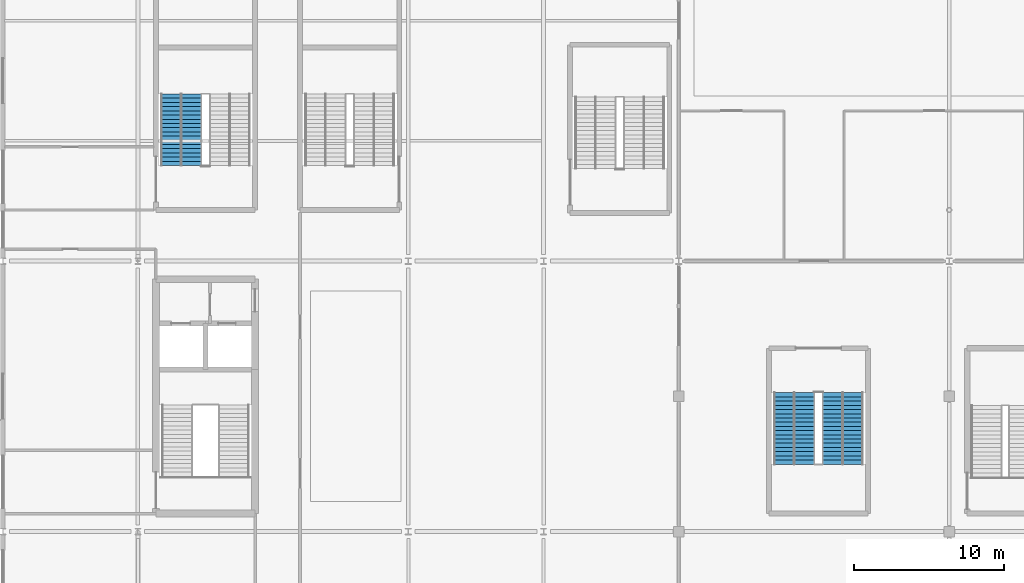
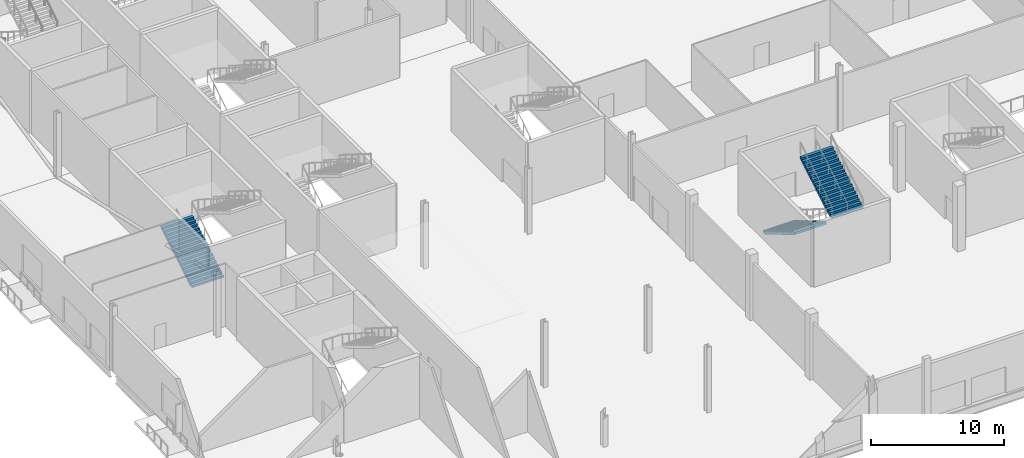
# One storey, part 53 of 84: 3 stair flights, 2 elements without a shape of their own.
"""IFC4 building model written with IfcOpenShell, lengths in metres."""

from ifc_helpers import new_model, si_unit, direction, frame, origin, place, context, subcontext, project, spatial, polygons, material, type_object, element, aggregate, save


model = new_model("IFC4")

# Units and contexts
model_context = context("Model", 3, precision=1e-05, world=origin(), true_north=direction((0.0, 1.0)))
body_context = subcontext(model_context, "Body", "Model", "MODEL_VIEW")
ifc_project = project(units=[si_unit("LENGTHUNIT", "METRE"), si_unit("AREAUNIT", "SQUARE_METRE"), si_unit("VOLUMEUNIT", "CUBIC_METRE"), si_unit("PLANEANGLEUNIT", "RADIAN"), si_unit("MASSUNIT", "GRAM", prefix="KILO")], contexts=[model_context])

# Site, building, storey
site_placement = place(None, origin())
site = spatial("IfcSite", under=ifc_project, at=site_placement, CompositionType="ELEMENT")
building_placement = place(site_placement, origin())
building = spatial("IfcBuilding", under=site, at=building_placement, Name="Kisiwana Market Hall", CompositionType="ELEMENT")
storey_placement = place(building_placement, origin())
storey = spatial("IfcBuildingStorey", under=building, at=storey_placement, Name="L00", CompositionType="ELEMENT", Elevation=0.0)

# Stair, stair flight
ifc_material_1 = material(Name="Concrete C32/40", Category="concrete")
stair_type = type_object("IfcStairType", Name="ST-ESC-6000", PredefinedType="TWO_STRAIGHT_RUN_STAIR", material=ifc_material_1)
stair_1_placement = place(storey_placement, origin())
stair_1 = element("IfcStair", 1, at=stair_1_placement, inside=storey, type_object=stair_type, Name="Escape stair ST-W3-L00", PredefinedType="TWO_STRAIGHT_RUN_STAIR")
ifc_material_2 = material(Name="Concrete C32/40", Category="concrete")
stair_flight_type = type_object("IfcStairFlightType", Name="SF-ESC-6000", PredefinedType="STRAIGHT", material=ifc_material_2)
stair_flight_1_placement = place(storey_placement, frame((11.889892578125, 42.360107421875, 0.0), z_axis=(0.0, 0.0, 1.0), x_axis=(0.0, 1.0, 0.0)))
stair_flight_1 = element("IfcStairFlight", 2, at=stair_flight_1_placement, type_object=stair_flight_type, Name="ST-W3-L00 flight 1", NumberOfRisers=18, NumberOfTreads=17, PredefinedType="STRAIGHT", RiserHeight=0.166667, TreadLength=0.28, context=body_context, shape_type="Tessellation", body=[
    polygons([(0.0, -1.380127, 0.0), (0.0, -0.690125, 0.0), (0.0, -0.000122, 0.0), (0.0, 0.68988, 0.0), (0.0, 1.379883, 0.0), (0.0, -1.380127, 0.166748), (0.0, -0.690125, 0.166748), (0.0, -0.000122, 0.166748), (0.0, 0.68988, 0.166748), (0.0, 1.379883, 0.166748), (0.280029, -1.380127, 0.166748), (0.280029, -0.690125, 0.166748), (0.280029, -0.000122, 0.166748), (0.280029, 0.68988, 0.166748), (0.280029, 1.379883, 0.166748), (0.280029, -1.380127, 0.333252), (0.280029, -0.690125, 0.333252), (0.280029, -0.000122, 0.333252), (0.280029, 0.68988, 0.333252), (0.280029, 1.379883, 0.333252), (0.560059, -1.380127, 0.333252), (0.560059, -0.690125, 0.333252), (0.560059, -0.000122, 0.333252), (0.560059, 0.68988, 0.333252), (0.560059, 1.379883, 0.333252), (0.560059, -1.380127, 0.5), (0.560059, -0.690125, 0.5), (0.560059, -0.000122, 0.5), (0.560059, 0.68988, 0.5), (0.560059, 1.379883, 0.5), (0.840088, -1.380127, 0.5), (0.840088, -0.690125, 0.5), (0.840088, -0.000122, 0.5), (0.840088, 0.68988, 0.5), (0.840088, 1.379883, 0.5), (0.840088, -1.380127, 0.666748), (0.840088, -0.690125, 0.666748), (0.840088, -0.000122, 0.666748), (0.840088, 0.68988, 0.666748), (0.840088, 1.379883, 0.666748), (1.120117, -1.380127, 0.666748), (1.120117, -0.690125, 0.666748), (1.120117, -0.000122, 0.666748), (1.120117, 0.68988, 0.666748), (1.120117, 1.379883, 0.666748), (1.120117, -1.380127, 0.833252), (1.120117, -0.690125, 0.833252), (1.120117, -0.000122, 0.833252), (1.120117, 0.68988, 0.833252), (1.120117, 1.379883, 0.833252), (1.399902, -1.380127, 0.833252), (1.399902, -0.690125, 0.833252), (1.399902, -0.000122, 0.833252), (1.399902, 0.68988, 0.833252), (1.399902, 1.379883, 0.833252), (1.399902, -1.380127, 1.0), (1.399902, -0.690125, 1.0), (1.399902, -0.000122, 1.0), (1.399902, 0.68988, 1.0), (1.399902, 1.379883, 1.0), (1.679932, -1.380127, 1.0), (1.679932, -0.690125, 1.0), (1.679932, -0.000122, 1.0), (1.679932, 0.68988, 1.0), (1.679932, 1.379883, 1.0), (1.679932, -1.380127, 1.166748), (1.679932, -0.690125, 1.166748), (1.679932, -0.000122, 1.166748), (1.679932, 0.68988, 1.166748), (1.679932, 1.379883, 1.166748), (1.959961, -1.380127, 1.166748), (1.959961, -0.690125, 1.166748), (1.959961, -0.000122, 1.166748), (1.959961, 0.68988, 1.166748), (1.959961, 1.379883, 1.166748), (1.959961, -1.380127, 1.333252), (1.959961, -0.690125, 1.333252), (1.959961, -0.000122, 1.333252), (1.959961, 0.68988, 1.333252), (1.959961, 1.379883, 1.333252), (2.23999, -1.380127, 1.333252), (2.23999, -0.690125, 1.333252), (2.23999, -0.000122, 1.333252), (2.23999, 0.68988, 1.333252), (2.23999, 1.379883, 1.333252), (2.23999, -1.380127, 1.5), (2.23999, -0.690125, 1.5), (2.23999, -0.000122, 1.5), (2.23999, 0.68988, 1.5), (2.23999, 1.379883, 1.5), (2.52002, -1.380127, 1.5), (2.52002, -0.690125, 1.5), (2.52002, -0.000122, 1.5), (2.52002, 0.68988, 1.5), (2.52002, 1.379883, 1.5), (2.52002, -1.380127, 1.666748), (2.52002, -0.690125, 1.666748), (2.52002, -0.000122, 1.666748), (2.52002, 0.68988, 1.666748), (2.52002, 1.379883, 1.666748), (2.800049, -1.380127, 1.666748), (2.800049, -0.690125, 1.666748), (2.800049, -0.000122, 1.666748), (2.800049, 0.68988, 1.666748), (2.800049, 1.379883, 1.666748), (2.800049, -1.380127, 1.833252), (2.800049, -0.690125, 1.833252), (2.800049, -0.000122, 1.833252), (2.800049, 0.68988, 1.833252), (2.800049, 1.379883, 1.833252), (3.080078, -1.380127, 1.833252), (3.080078, -0.690125, 1.833252), (3.080078, -0.000122, 1.833252), (3.080078, 0.68988, 1.833252), (3.080078, 1.379883, 1.833252), (3.080078, -1.380127, 2.0), (3.080078, -0.690125, 2.0), (3.080078, -0.000122, 2.0), (3.080078, 0.68988, 2.0), (3.080078, 1.379883, 2.0), (3.360107, -1.380127, 2.0), (3.360107, -0.690125, 2.0), (3.360107, -0.000122, 2.0), (3.360107, 0.68988, 2.0), (3.360107, 1.379883, 2.0), (3.360107, -1.380127, 2.166748), (3.360107, -0.690125, 2.166748), (3.360107, -0.000122, 2.166748), (3.360107, 0.68988, 2.166748), (3.360107, 1.379883, 2.166748), (3.639893, -1.380127, 2.166748), (3.639893, -0.690125, 2.166748), (3.639893, -0.000122, 2.166748), (3.639893, 0.68988, 2.166748), (3.639893, 1.379883, 2.166748), (3.639893, -1.380127, 2.333252), (3.639893, -0.690125, 2.333252), (3.639893, -0.000122, 2.333252), (3.639893, 0.68988, 2.333252), (3.639893, 1.379883, 2.333252), (3.919922, -1.380127, 2.333252), (3.919922, -0.690125, 2.333252), (3.919922, -0.000122, 2.333252), (3.919922, 0.68988, 2.333252), (3.919922, 1.379883, 2.333252), (3.919922, -1.380127, 2.5), (3.919922, -0.690125, 2.5), (3.919922, -0.000122, 2.5), (3.919922, 0.68988, 2.5), (3.919922, 1.379883, 2.5), (4.199951, -1.380127, 2.5), (4.199951, -0.690125, 2.5), (4.199951, -0.000122, 2.5), (4.199951, 0.68988, 2.5), (4.199951, 1.379883, 2.5), (4.199951, -1.380127, 2.666748), (4.199951, -0.690125, 2.666748), (4.199951, -0.000122, 2.666748), (4.199951, 0.68988, 2.666748), (4.199951, 1.379883, 2.666748), (4.47998, -1.380127, 2.666748), (4.47998, -0.690125, 2.666748), (4.47998, -0.000122, 2.666748), (4.47998, 0.68988, 2.666748), (4.47998, 1.379883, 2.666748), (4.47998, -1.380127, 2.833252), (4.47998, -0.690125, 2.833252), (4.47998, -0.000122, 2.833252), (4.47998, 0.68988, 2.833252), (4.47998, 1.379883, 2.833252), (4.76001, -1.380127, 2.833252), (4.76001, -0.690125, 2.833252), (4.76001, -0.000122, 2.833252), (4.76001, 0.68988, 2.833252), (4.76001, 1.379883, 2.833252), (4.76001, -1.380127, 2.624023), (4.76001, -0.690125, 2.624023), (4.76001, -0.000122, 2.624023), (4.76001, 0.68988, 2.624023), (4.76001, 1.379883, 2.624023), (0.351807, -1.380127, 0.0), (0.351807, -0.690125, 0.0), (0.351807, -0.000122, 0.0), (0.351807, 0.68988, 0.0), (0.351807, 1.379883, 0.0)], [[[1, 6, 7, 2]], [[2, 7, 8, 3]], [[3, 8, 9, 4]], [[4, 9, 10, 5]], [[6, 11, 12, 7]], [[7, 12, 13, 8]], [[8, 13, 14, 9]], [[9, 14, 15, 10]], [[11, 16, 17, 12]], [[12, 17, 18, 13]], [[13, 18, 19, 14]], [[14, 19, 20, 15]], [[16, 21, 22, 17]], [[17, 22, 23, 18]], [[18, 23, 24, 19]], [[19, 24, 25, 20]], [[21, 26, 27, 22]], [[22, 27, 28, 23]], [[23, 28, 29, 24]], [[24, 29, 30, 25]], [[26, 31, 32, 27]], [[27, 32, 33, 28]], [[28, 33, 34, 29]], [[29, 34, 35, 30]], [[31, 36, 37, 32]], [[32, 37, 38, 33]], [[33, 38, 39, 34]], [[34, 39, 40, 35]], [[36, 41, 42, 37]], [[37, 42, 43, 38]], [[38, 43, 44, 39]], [[39, 44, 45, 40]], [[41, 46, 47, 42]], [[42, 47, 48, 43]], [[43, 48, 49, 44]], [[44, 49, 50, 45]], [[46, 51, 52, 47]], [[47, 52, 53, 48]], [[48, 53, 54, 49]], [[49, 54, 55, 50]], [[51, 56, 57, 52]], [[52, 57, 58, 53]], [[53, 58, 59, 54]], [[54, 59, 60, 55]], [[56, 61, 62, 57]], [[57, 62, 63, 58]], [[58, 63, 64, 59]], [[59, 64, 65, 60]], [[61, 66, 67, 62]], [[62, 67, 68, 63]], [[63, 68, 69, 64]], [[64, 69, 70, 65]], [[66, 71, 72, 67]], [[67, 72, 73, 68]], [[68, 73, 74, 69]], [[69, 74, 75, 70]], [[71, 76, 77, 72]], [[72, 77, 78, 73]], [[73, 78, 79, 74]], [[74, 79, 80, 75]], [[76, 81, 82, 77]], [[77, 82, 83, 78]], [[78, 83, 84, 79]], [[79, 84, 85, 80]], [[81, 86, 87, 82]], [[82, 87, 88, 83]], [[83, 88, 89, 84]], [[84, 89, 90, 85]], [[86, 91, 92, 87]], [[87, 92, 93, 88]], [[88, 93, 94, 89]], [[89, 94, 95, 90]], [[91, 96, 97, 92]], [[92, 97, 98, 93]], [[93, 98, 99, 94]], [[94, 99, 100, 95]], [[96, 101, 102, 97]], [[97, 102, 103, 98]], [[98, 103, 104, 99]], [[99, 104, 105, 100]], [[101, 106, 107, 102]], [[102, 107, 108, 103]], [[103, 108, 109, 104]], [[104, 109, 110, 105]], [[106, 111, 112, 107]], [[107, 112, 113, 108]], [[108, 113, 114, 109]], [[109, 114, 115, 110]], [[111, 116, 117, 112]], [[112, 117, 118, 113]], [[113, 118, 119, 114]], [[114, 119, 120, 115]], [[116, 121, 122, 117]], [[117, 122, 123, 118]], [[118, 123, 124, 119]], [[119, 124, 125, 120]], [[121, 126, 127, 122]], [[122, 127, 128, 123]], [[123, 128, 129, 124]], [[124, 129, 130, 125]], [[126, 131, 132, 127]], [[127, 132, 133, 128]], [[128, 133, 134, 129]], [[129, 134, 135, 130]], [[131, 136, 137, 132]], [[132, 137, 138, 133]], [[133, 138, 139, 134]], [[134, 139, 140, 135]], [[136, 141, 142, 137]], [[137, 142, 143, 138]], [[138, 143, 144, 139]], [[139, 144, 145, 140]], [[141, 146, 147, 142]], [[142, 147, 148, 143]], [[143, 148, 149, 144]], [[144, 149, 150, 145]], [[146, 151, 152, 147]], [[147, 152, 153, 148]], [[148, 153, 154, 149]], [[149, 154, 155, 150]], [[151, 156, 157, 152]], [[152, 157, 158, 153]], [[153, 158, 159, 154]], [[154, 159, 160, 155]], [[156, 161, 162, 157]], [[157, 162, 163, 158]], [[158, 163, 164, 159]], [[159, 164, 165, 160]], [[161, 166, 167, 162]], [[162, 167, 168, 163]], [[163, 168, 169, 164]], [[164, 169, 170, 165]], [[166, 171, 172, 167]], [[167, 172, 173, 168]], [[168, 173, 174, 169]], [[169, 174, 175, 170]], [[171, 176, 177, 172]], [[172, 177, 178, 173]], [[173, 178, 179, 174]], [[174, 179, 180, 175]], [[176, 181, 182, 177]], [[177, 182, 183, 178]], [[178, 183, 184, 179]], [[179, 184, 185, 180]], [[181, 1, 2, 182]], [[182, 2, 3, 183]], [[183, 3, 4, 184]], [[184, 4, 5, 185]], [[181, 176, 171, 166, 161, 156, 151, 146, 141, 136, 131, 126, 121, 116, 111, 106, 101, 96, 91, 86, 81, 76, 71, 66, 61, 56, 51, 46, 41, 36, 31, 26, 21, 16, 11, 6, 1]], [[5, 10, 15, 20, 25, 30, 35, 40, 45, 50, 55, 60, 65, 70, 75, 80, 85, 90, 95, 100, 105, 110, 115, 120, 125, 130, 135, 140, 145, 150, 155, 160, 165, 170, 175, 180, 185]]], closed=True),
])
aggregate(stair_1, [stair_flight_1])

# Stair, stair flights
stair_2_placement = place(storey_placement, origin())
stair_2 = element("IfcStair", 3, at=stair_2_placement, inside=storey, type_object=stair_type, Name="Escape stair ST-S3-L00", PredefinedType="TWO_STRAIGHT_RUN_STAIR")
stair_flight_2_placement = place(storey_placement, frame((52.68994140625, 27.239990234375, 0.0), z_axis=(0.0, 0.0, 1.0), x_axis=(0.0, -1.0, 0.0)))
stair_flight_2 = element("IfcStairFlight", 4, at=stair_flight_2_placement, type_object=stair_flight_type, Name="ST-S3-L00 flight 1", NumberOfRisers=18, NumberOfTreads=17, PredefinedType="STRAIGHT", RiserHeight=0.166667, TreadLength=0.28, context=body_context, shape_type="Tessellation", body=[
    polygons([(0.0, -1.380127, 0.0), (0.0, -0.690125, 0.0), (0.0, -0.000122, 0.0), (0.0, 0.68988, 0.0), (0.0, 1.379883, 0.0), (0.0, -1.380127, 0.166748), (0.0, -0.690125, 0.166748), (0.0, -0.000122, 0.166748), (0.0, 0.68988, 0.166748), (0.0, 1.379883, 0.166748), (0.280029, -1.380127, 0.166748), (0.280029, -0.690125, 0.166748), (0.280029, -0.000122, 0.166748), (0.280029, 0.68988, 0.166748), (0.280029, 1.379883, 0.166748), (0.280029, -1.380127, 0.333252), (0.280029, -0.690125, 0.333252), (0.280029, -0.000122, 0.333252), (0.280029, 0.68988, 0.333252), (0.280029, 1.379883, 0.333252), (0.560059, -1.380127, 0.333252), (0.560059, -0.690125, 0.333252), (0.560059, -0.000122, 0.333252), (0.560059, 0.68988, 0.333252), (0.560059, 1.379883, 0.333252), (0.560059, -1.380127, 0.5), (0.560059, -0.690125, 0.5), (0.560059, -0.000122, 0.5), (0.560059, 0.68988, 0.5), (0.560059, 1.379883, 0.5), (0.840088, -1.380127, 0.5), (0.840088, -0.690125, 0.5), (0.840088, -0.000122, 0.5), (0.840088, 0.68988, 0.5), (0.840088, 1.379883, 0.5), (0.840088, -1.380127, 0.666748), (0.840088, -0.690125, 0.666748), (0.840088, -0.000122, 0.666748), (0.840088, 0.68988, 0.666748), (0.840088, 1.379883, 0.666748), (1.120117, -1.380127, 0.666748), (1.120117, -0.690125, 0.666748), (1.120117, -0.000122, 0.666748), (1.120117, 0.68988, 0.666748), (1.120117, 1.379883, 0.666748), (1.120117, -1.380127, 0.833252), (1.120117, -0.690125, 0.833252), (1.120117, -0.000122, 0.833252), (1.120117, 0.68988, 0.833252), (1.120117, 1.379883, 0.833252), (1.399902, -1.380127, 0.833252), (1.399902, -0.690125, 0.833252), (1.399902, -0.000122, 0.833252), (1.399902, 0.68988, 0.833252), (1.399902, 1.379883, 0.833252), (1.399902, -1.380127, 1.0), (1.399902, -0.690125, 1.0), (1.399902, -0.000122, 1.0), (1.399902, 0.68988, 1.0), (1.399902, 1.379883, 1.0), (1.679932, -1.380127, 1.0), (1.679932, -0.690125, 1.0), (1.679932, -0.000122, 1.0), (1.679932, 0.68988, 1.0), (1.679932, 1.379883, 1.0), (1.679932, -1.380127, 1.166748), (1.679932, -0.690125, 1.166748), (1.679932, -0.000122, 1.166748), (1.679932, 0.68988, 1.166748), (1.679932, 1.379883, 1.166748), (1.959961, -1.380127, 1.166748), (1.959961, -0.690125, 1.166748), (1.959961, -0.000122, 1.166748), (1.959961, 0.68988, 1.166748), (1.959961, 1.379883, 1.166748), (1.959961, -1.380127, 1.333252), (1.959961, -0.690125, 1.333252), (1.959961, -0.000122, 1.333252), (1.959961, 0.68988, 1.333252), (1.959961, 1.379883, 1.333252), (2.23999, -1.380127, 1.333252), (2.23999, -0.690125, 1.333252), (2.23999, -0.000122, 1.333252), (2.23999, 0.68988, 1.333252), (2.23999, 1.379883, 1.333252), (2.23999, -1.380127, 1.5), (2.23999, -0.690125, 1.5), (2.23999, -0.000122, 1.5), (2.23999, 0.68988, 1.5), (2.23999, 1.379883, 1.5), (2.52002, -1.380127, 1.5), (2.52002, -0.690125, 1.5), (2.52002, -0.000122, 1.5), (2.52002, 0.68988, 1.5), (2.52002, 1.379883, 1.5), (2.52002, -1.380127, 1.666748), (2.52002, -0.690125, 1.666748), (2.52002, -0.000122, 1.666748), (2.52002, 0.68988, 1.666748), (2.52002, 1.379883, 1.666748), (2.800049, -1.380127, 1.666748), (2.800049, -0.690125, 1.666748), (2.800049, -0.000122, 1.666748), (2.800049, 0.68988, 1.666748), (2.800049, 1.379883, 1.666748), (2.800049, -1.380127, 1.833252), (2.800049, -0.690125, 1.833252), (2.800049, -0.000122, 1.833252), (2.800049, 0.68988, 1.833252), (2.800049, 1.379883, 1.833252), (3.080078, -1.380127, 1.833252), (3.080078, -0.690125, 1.833252), (3.080078, -0.000122, 1.833252), (3.080078, 0.68988, 1.833252), (3.080078, 1.379883, 1.833252), (3.080078, -1.380127, 2.0), (3.080078, -0.690125, 2.0), (3.080078, -0.000122, 2.0), (3.080078, 0.68988, 2.0), (3.080078, 1.379883, 2.0), (3.360107, -1.380127, 2.0), (3.360107, -0.690125, 2.0), (3.360107, -0.000122, 2.0), (3.360107, 0.68988, 2.0), (3.360107, 1.379883, 2.0), (3.360107, -1.380127, 2.166748), (3.360107, -0.690125, 2.166748), (3.360107, -0.000122, 2.166748), (3.360107, 0.68988, 2.166748), (3.360107, 1.379883, 2.166748), (3.639893, -1.380127, 2.166748), (3.639893, -0.690125, 2.166748), (3.639893, -0.000122, 2.166748), (3.639893, 0.68988, 2.166748), (3.639893, 1.379883, 2.166748), (3.639893, -1.380127, 2.333252), (3.639893, -0.690125, 2.333252), (3.639893, -0.000122, 2.333252), (3.639893, 0.68988, 2.333252), (3.639893, 1.379883, 2.333252), (3.919922, -1.380127, 2.333252), (3.919922, -0.690125, 2.333252), (3.919922, -0.000122, 2.333252), (3.919922, 0.68988, 2.333252), (3.919922, 1.379883, 2.333252), (3.919922, -1.380127, 2.5), (3.919922, -0.690125, 2.5), (3.919922, -0.000122, 2.5), (3.919922, 0.68988, 2.5), (3.919922, 1.379883, 2.5), (4.199951, -1.380127, 2.5), (4.199951, -0.690125, 2.5), (4.199951, -0.000122, 2.5), (4.199951, 0.68988, 2.5), (4.199951, 1.379883, 2.5), (4.199951, -1.380127, 2.666748), (4.199951, -0.690125, 2.666748), (4.199951, -0.000122, 2.666748), (4.199951, 0.68988, 2.666748), (4.199951, 1.379883, 2.666748), (4.47998, -1.380127, 2.666748), (4.47998, -0.690125, 2.666748), (4.47998, -0.000122, 2.666748), (4.47998, 0.68988, 2.666748), (4.47998, 1.379883, 2.666748), (4.47998, -1.380127, 2.833252), (4.47998, -0.690125, 2.833252), (4.47998, -0.000122, 2.833252), (4.47998, 0.68988, 2.833252), (4.47998, 1.379883, 2.833252), (4.76001, -1.380127, 2.833252), (4.76001, -0.690125, 2.833252), (4.76001, -0.000122, 2.833252), (4.76001, 0.68988, 2.833252), (4.76001, 1.379883, 2.833252), (4.76001, -1.380127, 2.624023), (4.76001, -0.690125, 2.624023), (4.76001, -0.000122, 2.624023), (4.76001, 0.68988, 2.624023), (4.76001, 1.379883, 2.624023), (0.351807, -1.380127, 0.0), (0.351807, -0.690125, 0.0), (0.351807, -0.000122, 0.0), (0.351807, 0.68988, 0.0), (0.351807, 1.379883, 0.0)], [[[1, 6, 7, 2]], [[2, 7, 8, 3]], [[3, 8, 9, 4]], [[4, 9, 10, 5]], [[6, 11, 12, 7]], [[7, 12, 13, 8]], [[8, 13, 14, 9]], [[9, 14, 15, 10]], [[11, 16, 17, 12]], [[12, 17, 18, 13]], [[13, 18, 19, 14]], [[14, 19, 20, 15]], [[16, 21, 22, 17]], [[17, 22, 23, 18]], [[18, 23, 24, 19]], [[19, 24, 25, 20]], [[21, 26, 27, 22]], [[22, 27, 28, 23]], [[23, 28, 29, 24]], [[24, 29, 30, 25]], [[26, 31, 32, 27]], [[27, 32, 33, 28]], [[28, 33, 34, 29]], [[29, 34, 35, 30]], [[31, 36, 37, 32]], [[32, 37, 38, 33]], [[33, 38, 39, 34]], [[34, 39, 40, 35]], [[36, 41, 42, 37]], [[37, 42, 43, 38]], [[38, 43, 44, 39]], [[39, 44, 45, 40]], [[41, 46, 47, 42]], [[42, 47, 48, 43]], [[43, 48, 49, 44]], [[44, 49, 50, 45]], [[46, 51, 52, 47]], [[47, 52, 53, 48]], [[48, 53, 54, 49]], [[49, 54, 55, 50]], [[51, 56, 57, 52]], [[52, 57, 58, 53]], [[53, 58, 59, 54]], [[54, 59, 60, 55]], [[56, 61, 62, 57]], [[57, 62, 63, 58]], [[58, 63, 64, 59]], [[59, 64, 65, 60]], [[61, 66, 67, 62]], [[62, 67, 68, 63]], [[63, 68, 69, 64]], [[64, 69, 70, 65]], [[66, 71, 72, 67]], [[67, 72, 73, 68]], [[68, 73, 74, 69]], [[69, 74, 75, 70]], [[71, 76, 77, 72]], [[72, 77, 78, 73]], [[73, 78, 79, 74]], [[74, 79, 80, 75]], [[76, 81, 82, 77]], [[77, 82, 83, 78]], [[78, 83, 84, 79]], [[79, 84, 85, 80]], [[81, 86, 87, 82]], [[82, 87, 88, 83]], [[83, 88, 89, 84]], [[84, 89, 90, 85]], [[86, 91, 92, 87]], [[87, 92, 93, 88]], [[88, 93, 94, 89]], [[89, 94, 95, 90]], [[91, 96, 97, 92]], [[92, 97, 98, 93]], [[93, 98, 99, 94]], [[94, 99, 100, 95]], [[96, 101, 102, 97]], [[97, 102, 103, 98]], [[98, 103, 104, 99]], [[99, 104, 105, 100]], [[101, 106, 107, 102]], [[102, 107, 108, 103]], [[103, 108, 109, 104]], [[104, 109, 110, 105]], [[106, 111, 112, 107]], [[107, 112, 113, 108]], [[108, 113, 114, 109]], [[109, 114, 115, 110]], [[111, 116, 117, 112]], [[112, 117, 118, 113]], [[113, 118, 119, 114]], [[114, 119, 120, 115]], [[116, 121, 122, 117]], [[117, 122, 123, 118]], [[118, 123, 124, 119]], [[119, 124, 125, 120]], [[121, 126, 127, 122]], [[122, 127, 128, 123]], [[123, 128, 129, 124]], [[124, 129, 130, 125]], [[126, 131, 132, 127]], [[127, 132, 133, 128]], [[128, 133, 134, 129]], [[129, 134, 135, 130]], [[131, 136, 137, 132]], [[132, 137, 138, 133]], [[133, 138, 139, 134]], [[134, 139, 140, 135]], [[136, 141, 142, 137]], [[137, 142, 143, 138]], [[138, 143, 144, 139]], [[139, 144, 145, 140]], [[141, 146, 147, 142]], [[142, 147, 148, 143]], [[143, 148, 149, 144]], [[144, 149, 150, 145]], [[146, 151, 152, 147]], [[147, 152, 153, 148]], [[148, 153, 154, 149]], [[149, 154, 155, 150]], [[151, 156, 157, 152]], [[152, 157, 158, 153]], [[153, 158, 159, 154]], [[154, 159, 160, 155]], [[156, 161, 162, 157]], [[157, 162, 163, 158]], [[158, 163, 164, 159]], [[159, 164, 165, 160]], [[161, 166, 167, 162]], [[162, 167, 168, 163]], [[163, 168, 169, 164]], [[164, 169, 170, 165]], [[166, 171, 172, 167]], [[167, 172, 173, 168]], [[168, 173, 174, 169]], [[169, 174, 175, 170]], [[171, 176, 177, 172]], [[172, 177, 178, 173]], [[173, 178, 179, 174]], [[174, 179, 180, 175]], [[176, 181, 182, 177]], [[177, 182, 183, 178]], [[178, 183, 184, 179]], [[179, 184, 185, 180]], [[181, 1, 2, 182]], [[182, 2, 3, 183]], [[183, 3, 4, 184]], [[184, 4, 5, 185]], [[181, 176, 171, 166, 161, 156, 151, 146, 141, 136, 131, 126, 121, 116, 111, 106, 101, 96, 91, 86, 81, 76, 71, 66, 61, 56, 51, 46, 41, 36, 31, 26, 21, 16, 11, 6, 1]], [[5, 10, 15, 20, 25, 30, 35, 40, 45, 50, 55, 60, 65, 70, 75, 80, 85, 90, 95, 100, 105, 110, 115, 120, 125, 130, 135, 140, 145, 150, 155, 160, 165, 170, 175, 180, 185]]], closed=True),
])
stair_flight_3_placement = place(storey_placement, frame((55.909912109375, 22.47998046875, 3.0), z_axis=(0.0, 0.0, 1.0), x_axis=(0.0, 1.0, 0.0)))
stair_flight_3 = element("IfcStairFlight", 5, at=stair_flight_3_placement, type_object=stair_flight_type, Name="ST-S3-L00 flight 2", NumberOfRisers=18, NumberOfTreads=17, PredefinedType="STRAIGHT", RiserHeight=0.166667, TreadLength=0.28, context=body_context, shape_type="Tessellation", body=[
    polygons([(0.0, -1.380127, 0.0), (0.0, -0.690125, 0.0), (0.0, -0.000122, 0.0), (0.0, 0.68988, 0.0), (0.0, 1.379883, 0.0), (0.0, -1.380127, 0.166748), (0.0, -0.690125, 0.166748), (0.0, -0.000122, 0.166748), (0.0, 0.68988, 0.166748), (0.0, 1.379883, 0.166748), (0.280029, -1.380127, 0.166748), (0.280029, -0.690125, 0.166748), (0.280029, -0.000122, 0.166748), (0.280029, 0.68988, 0.166748), (0.280029, 1.379883, 0.166748), (0.280029, -1.380127, 0.333252), (0.280029, -0.690125, 0.333252), (0.280029, -0.000122, 0.333252), (0.280029, 0.68988, 0.333252), (0.280029, 1.379883, 0.333252), (0.560059, -1.380127, 0.333252), (0.560059, -0.690125, 0.333252), (0.560059, -0.000122, 0.333252), (0.560059, 0.68988, 0.333252), (0.560059, 1.379883, 0.333252), (0.560059, -1.380127, 0.5), (0.560059, -0.690125, 0.5), (0.560059, -0.000122, 0.5), (0.560059, 0.68988, 0.5), (0.560059, 1.379883, 0.5), (0.840088, -1.380127, 0.5), (0.840088, -0.690125, 0.5), (0.840088, -0.000122, 0.5), (0.840088, 0.68988, 0.5), (0.840088, 1.379883, 0.5), (0.840088, -1.380127, 0.666748), (0.840088, -0.690125, 0.666748), (0.840088, -0.000122, 0.666748), (0.840088, 0.68988, 0.666748), (0.840088, 1.379883, 0.666748), (1.120117, -1.380127, 0.666748), (1.120117, -0.690125, 0.666748), (1.120117, -0.000122, 0.666748), (1.120117, 0.68988, 0.666748), (1.120117, 1.379883, 0.666748), (1.120117, -1.380127, 0.833252), (1.120117, -0.690125, 0.833252), (1.120117, -0.000122, 0.833252), (1.120117, 0.68988, 0.833252), (1.120117, 1.379883, 0.833252), (1.399902, -1.380127, 0.833252), (1.399902, -0.690125, 0.833252), (1.399902, -0.000122, 0.833252), (1.399902, 0.68988, 0.833252), (1.399902, 1.379883, 0.833252), (1.399902, -1.380127, 1.0), (1.399902, -0.690125, 1.0), (1.399902, -0.000122, 1.0), (1.399902, 0.68988, 1.0), (1.399902, 1.379883, 1.0), (1.679932, -1.380127, 1.0), (1.679932, -0.690125, 1.0), (1.679932, -0.000122, 1.0), (1.679932, 0.68988, 1.0), (1.679932, 1.379883, 1.0), (1.679932, -1.380127, 1.166748), (1.679932, -0.690125, 1.166748), (1.679932, -0.000122, 1.166748), (1.679932, 0.68988, 1.166748), (1.679932, 1.379883, 1.166748), (1.959961, -1.380127, 1.166748), (1.959961, -0.690125, 1.166748), (1.959961, -0.000122, 1.166748), (1.959961, 0.68988, 1.166748), (1.959961, 1.379883, 1.166748), (1.959961, -1.380127, 1.333252), (1.959961, -0.690125, 1.333252), (1.959961, -0.000122, 1.333252), (1.959961, 0.68988, 1.333252), (1.959961, 1.379883, 1.333252), (2.23999, -1.380127, 1.333252), (2.23999, -0.690125, 1.333252), (2.23999, -0.000122, 1.333252), (2.23999, 0.68988, 1.333252), (2.23999, 1.379883, 1.333252), (2.23999, -1.380127, 1.5), (2.23999, -0.690125, 1.5), (2.23999, -0.000122, 1.5), (2.23999, 0.68988, 1.5), (2.23999, 1.379883, 1.5), (2.52002, -1.380127, 1.5), (2.52002, -0.690125, 1.5), (2.52002, -0.000122, 1.5), (2.52002, 0.68988, 1.5), (2.52002, 1.379883, 1.5), (2.52002, -1.380127, 1.666748), (2.52002, -0.690125, 1.666748), (2.52002, -0.000122, 1.666748), (2.52002, 0.68988, 1.666748), (2.52002, 1.379883, 1.666748), (2.800049, -1.380127, 1.666748), (2.800049, -0.690125, 1.666748), (2.800049, -0.000122, 1.666748), (2.800049, 0.68988, 1.666748), (2.800049, 1.379883, 1.666748), (2.800049, -1.380127, 1.833252), (2.800049, -0.690125, 1.833252), (2.800049, -0.000122, 1.833252), (2.800049, 0.68988, 1.833252), (2.800049, 1.379883, 1.833252), (3.080078, -1.380127, 1.833252), (3.080078, -0.690125, 1.833252), (3.080078, -0.000122, 1.833252), (3.080078, 0.68988, 1.833252), (3.080078, 1.379883, 1.833252), (3.080078, -1.380127, 2.0), (3.080078, -0.690125, 2.0), (3.080078, -0.000122, 2.0), (3.080078, 0.68988, 2.0), (3.080078, 1.379883, 2.0), (3.360107, -1.380127, 2.0), (3.360107, -0.690125, 2.0), (3.360107, -0.000122, 2.0), (3.360107, 0.68988, 2.0), (3.360107, 1.379883, 2.0), (3.360107, -1.380127, 2.166748), (3.360107, -0.690125, 2.166748), (3.360107, -0.000122, 2.166748), (3.360107, 0.68988, 2.166748), (3.360107, 1.379883, 2.166748), (3.639893, -1.380127, 2.166748), (3.639893, -0.690125, 2.166748), (3.639893, -0.000122, 2.166748), (3.639893, 0.68988, 2.166748), (3.639893, 1.379883, 2.166748), (3.639893, -1.380127, 2.333252), (3.639893, -0.690125, 2.333252), (3.639893, -0.000122, 2.333252), (3.639893, 0.68988, 2.333252), (3.639893, 1.379883, 2.333252), (3.919922, -1.380127, 2.333252), (3.919922, -0.690125, 2.333252), (3.919922, -0.000122, 2.333252), (3.919922, 0.68988, 2.333252), (3.919922, 1.379883, 2.333252), (3.919922, -1.380127, 2.5), (3.919922, -0.690125, 2.5), (3.919922, -0.000122, 2.5), (3.919922, 0.68988, 2.5), (3.919922, 1.379883, 2.5), (4.199951, -1.380127, 2.5), (4.199951, -0.690125, 2.5), (4.199951, -0.000122, 2.5), (4.199951, 0.68988, 2.5), (4.199951, 1.379883, 2.5), (4.199951, -1.380127, 2.666748), (4.199951, -0.690125, 2.666748), (4.199951, -0.000122, 2.666748), (4.199951, 0.68988, 2.666748), (4.199951, 1.379883, 2.666748), (4.47998, -1.380127, 2.666748), (4.47998, -0.690125, 2.666748), (4.47998, -0.000122, 2.666748), (4.47998, 0.68988, 2.666748), (4.47998, 1.379883, 2.666748), (4.47998, -1.380127, 2.833252), (4.47998, -0.690125, 2.833252), (4.47998, -0.000122, 2.833252), (4.47998, 0.68988, 2.833252), (4.47998, 1.379883, 2.833252), (4.76001, -1.380127, 2.833252), (4.76001, -0.690125, 2.833252), (4.76001, -0.000122, 2.833252), (4.76001, 0.68988, 2.833252), (4.76001, 1.379883, 2.833252), (4.76001, -1.380127, 2.624023), (4.76001, -0.690125, 2.624023), (4.76001, -0.000122, 2.624023), (4.76001, 0.68988, 2.624023), (4.76001, 1.379883, 2.624023), (0.351807, -1.380127, 0.0), (0.351807, -0.690125, 0.0), (0.351807, -0.000122, 0.0), (0.351807, 0.68988, 0.0), (0.351807, 1.379883, 0.0)], [[[1, 6, 7, 2]], [[2, 7, 8, 3]], [[3, 8, 9, 4]], [[4, 9, 10, 5]], [[6, 11, 12, 7]], [[7, 12, 13, 8]], [[8, 13, 14, 9]], [[9, 14, 15, 10]], [[11, 16, 17, 12]], [[12, 17, 18, 13]], [[13, 18, 19, 14]], [[14, 19, 20, 15]], [[16, 21, 22, 17]], [[17, 22, 23, 18]], [[18, 23, 24, 19]], [[19, 24, 25, 20]], [[21, 26, 27, 22]], [[22, 27, 28, 23]], [[23, 28, 29, 24]], [[24, 29, 30, 25]], [[26, 31, 32, 27]], [[27, 32, 33, 28]], [[28, 33, 34, 29]], [[29, 34, 35, 30]], [[31, 36, 37, 32]], [[32, 37, 38, 33]], [[33, 38, 39, 34]], [[34, 39, 40, 35]], [[36, 41, 42, 37]], [[37, 42, 43, 38]], [[38, 43, 44, 39]], [[39, 44, 45, 40]], [[41, 46, 47, 42]], [[42, 47, 48, 43]], [[43, 48, 49, 44]], [[44, 49, 50, 45]], [[46, 51, 52, 47]], [[47, 52, 53, 48]], [[48, 53, 54, 49]], [[49, 54, 55, 50]], [[51, 56, 57, 52]], [[52, 57, 58, 53]], [[53, 58, 59, 54]], [[54, 59, 60, 55]], [[56, 61, 62, 57]], [[57, 62, 63, 58]], [[58, 63, 64, 59]], [[59, 64, 65, 60]], [[61, 66, 67, 62]], [[62, 67, 68, 63]], [[63, 68, 69, 64]], [[64, 69, 70, 65]], [[66, 71, 72, 67]], [[67, 72, 73, 68]], [[68, 73, 74, 69]], [[69, 74, 75, 70]], [[71, 76, 77, 72]], [[72, 77, 78, 73]], [[73, 78, 79, 74]], [[74, 79, 80, 75]], [[76, 81, 82, 77]], [[77, 82, 83, 78]], [[78, 83, 84, 79]], [[79, 84, 85, 80]], [[81, 86, 87, 82]], [[82, 87, 88, 83]], [[83, 88, 89, 84]], [[84, 89, 90, 85]], [[86, 91, 92, 87]], [[87, 92, 93, 88]], [[88, 93, 94, 89]], [[89, 94, 95, 90]], [[91, 96, 97, 92]], [[92, 97, 98, 93]], [[93, 98, 99, 94]], [[94, 99, 100, 95]], [[96, 101, 102, 97]], [[97, 102, 103, 98]], [[98, 103, 104, 99]], [[99, 104, 105, 100]], [[101, 106, 107, 102]], [[102, 107, 108, 103]], [[103, 108, 109, 104]], [[104, 109, 110, 105]], [[106, 111, 112, 107]], [[107, 112, 113, 108]], [[108, 113, 114, 109]], [[109, 114, 115, 110]], [[111, 116, 117, 112]], [[112, 117, 118, 113]], [[113, 118, 119, 114]], [[114, 119, 120, 115]], [[116, 121, 122, 117]], [[117, 122, 123, 118]], [[118, 123, 124, 119]], [[119, 124, 125, 120]], [[121, 126, 127, 122]], [[122, 127, 128, 123]], [[123, 128, 129, 124]], [[124, 129, 130, 125]], [[126, 131, 132, 127]], [[127, 132, 133, 128]], [[128, 133, 134, 129]], [[129, 134, 135, 130]], [[131, 136, 137, 132]], [[132, 137, 138, 133]], [[133, 138, 139, 134]], [[134, 139, 140, 135]], [[136, 141, 142, 137]], [[137, 142, 143, 138]], [[138, 143, 144, 139]], [[139, 144, 145, 140]], [[141, 146, 147, 142]], [[142, 147, 148, 143]], [[143, 148, 149, 144]], [[144, 149, 150, 145]], [[146, 151, 152, 147]], [[147, 152, 153, 148]], [[148, 153, 154, 149]], [[149, 154, 155, 150]], [[151, 156, 157, 152]], [[152, 157, 158, 153]], [[153, 158, 159, 154]], [[154, 159, 160, 155]], [[156, 161, 162, 157]], [[157, 162, 163, 158]], [[158, 163, 164, 159]], [[159, 164, 165, 160]], [[161, 166, 167, 162]], [[162, 167, 168, 163]], [[163, 168, 169, 164]], [[164, 169, 170, 165]], [[166, 171, 172, 167]], [[167, 172, 173, 168]], [[168, 173, 174, 169]], [[169, 174, 175, 170]], [[171, 176, 177, 172]], [[172, 177, 178, 173]], [[173, 178, 179, 174]], [[174, 179, 180, 175]], [[176, 181, 182, 177]], [[177, 182, 183, 178]], [[178, 183, 184, 179]], [[179, 184, 185, 180]], [[181, 1, 2, 182]], [[182, 2, 3, 183]], [[183, 3, 4, 184]], [[184, 4, 5, 185]], [[181, 176, 171, 166, 161, 156, 151, 146, 141, 136, 131, 126, 121, 116, 111, 106, 101, 96, 91, 86, 81, 76, 71, 66, 61, 56, 51, 46, 41, 36, 31, 26, 21, 16, 11, 6, 1]], [[5, 10, 15, 20, 25, 30, 35, 40, 45, 50, 55, 60, 65, 70, 75, 80, 85, 90, 95, 100, 105, 110, 115, 120, 125, 130, 135, 140, 145, 150, 155, 160, 165, 170, 175, 180, 185]]], closed=True),
])
aggregate(stair_2, [stair_flight_2, stair_flight_3])

save(model, "model.ifc")
